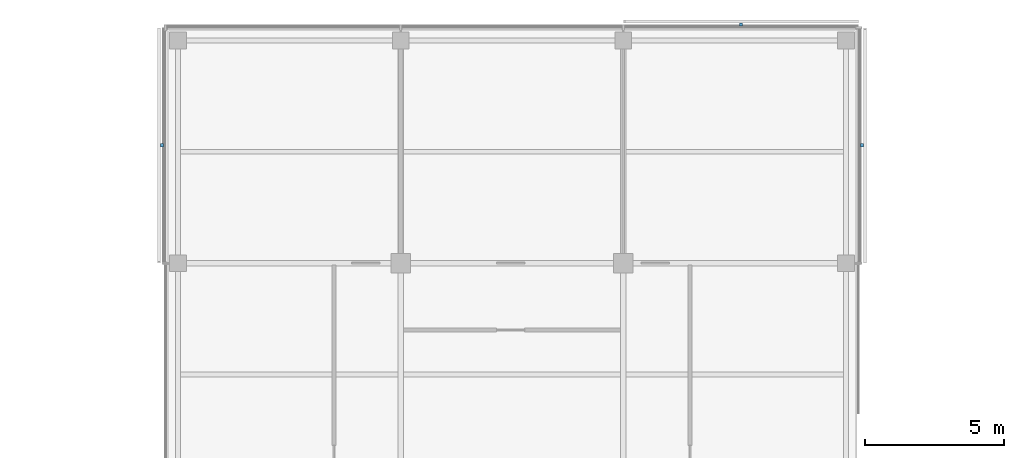
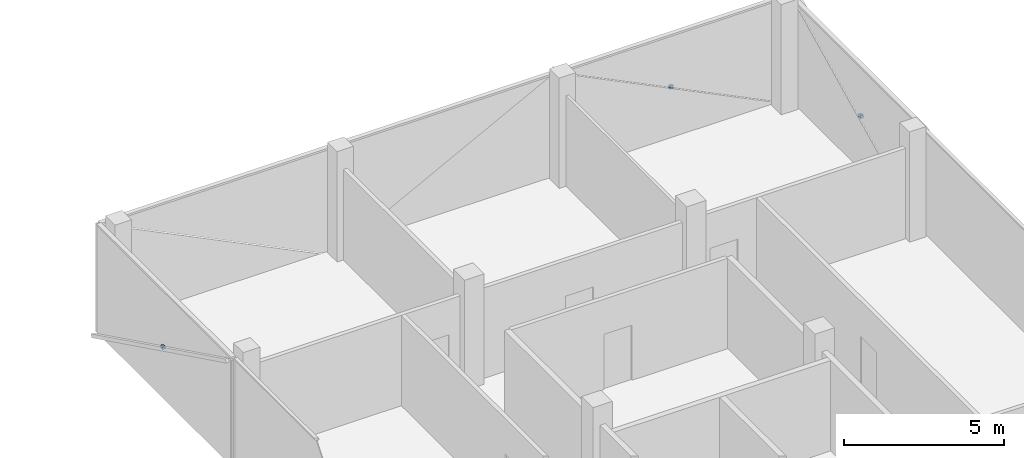
# One storey, part 15 of 16: 3 discrete accessories.
"""IFC4 building model written with IfcOpenShell, lengths in metres."""

from ifc_helpers import new_model, si_unit, direction, frame, origin, origin_2d, place, context, subcontext, project, spatial, rectangle, extrude, material, type_object, element, save


model = new_model("IFC4")

# Units and contexts
model_context = context("Model", 3, precision=1e-05, world=origin(), true_north=direction((0.0, 1.0)))
body_context = subcontext(model_context, "Body", "Model", "MODEL_VIEW")
ifc_project = project(units=[si_unit("LENGTHUNIT", "METRE"), si_unit("AREAUNIT", "SQUARE_METRE"), si_unit("VOLUMEUNIT", "CUBIC_METRE"), si_unit("PLANEANGLEUNIT", "RADIAN"), si_unit("MASSUNIT", "GRAM", prefix="KILO")], contexts=[model_context])

# Site, building, storey
site_placement = place(None, origin())
site = spatial("IfcSite", under=ifc_project, at=site_placement, CompositionType="ELEMENT")
building_placement = place(site_placement, origin())
building = spatial("IfcBuilding", under=site, at=building_placement, Name="Crosswind Convention Tower", CompositionType="ELEMENT")
storey_placement = place(building_placement, frame((0.0, 0.0, 291.300048828125)))
storey = spatial("IfcBuildingStorey", under=building, at=storey_placement, Name="L63", CompositionType="ELEMENT", Elevation=291.300048828125)

# Discrete accessories
ifc_material = material(Name="Stainless steel", Category="steel")
discrete_accessory_type = type_object("IfcDiscreteAccessoryType", Name="BAGUETTE BRACKET BK3", PredefinedType="BRACKET", material=ifc_material)
for number, where, z_axis, x_axis, name in (
    (1, (137.575927734375, 124.22998046875, 1.704833984375), (0.0, 0.0, 1.0), (0.0, 1.0, 0.0), "BK3 baguette bracket"),
    (2, (133.22998046875, 128.575927734375, 1.704833984375), (0.0, 0.0, 1.0), (-1.0, 0.0, 0.0), "BK3 baguette bracket"),
    (3, (112.424072265625, 124.22998046875, 1.704833984375), (0.0, 0.0, 1.0), (0.0, -1.0, 0.0), "BK3 baguette bracket"),
):
    element("IfcDiscreteAccessory", number, at=place(storey_placement, frame(where, z_axis=z_axis, x_axis=x_axis)), inside=storey, type_object=discrete_accessory_type, Name=name, PredefinedType="BRACKET", context=body_context, shape_type="SweptSolid", body=[
        extrude(rectangle(XDim=0.1201171875, YDim=0.10009765625, at=origin_2d()), origin(), (0.0, 0.0, 1.0), 0.1201171875),
    ])

save(model, "model.ifc")
